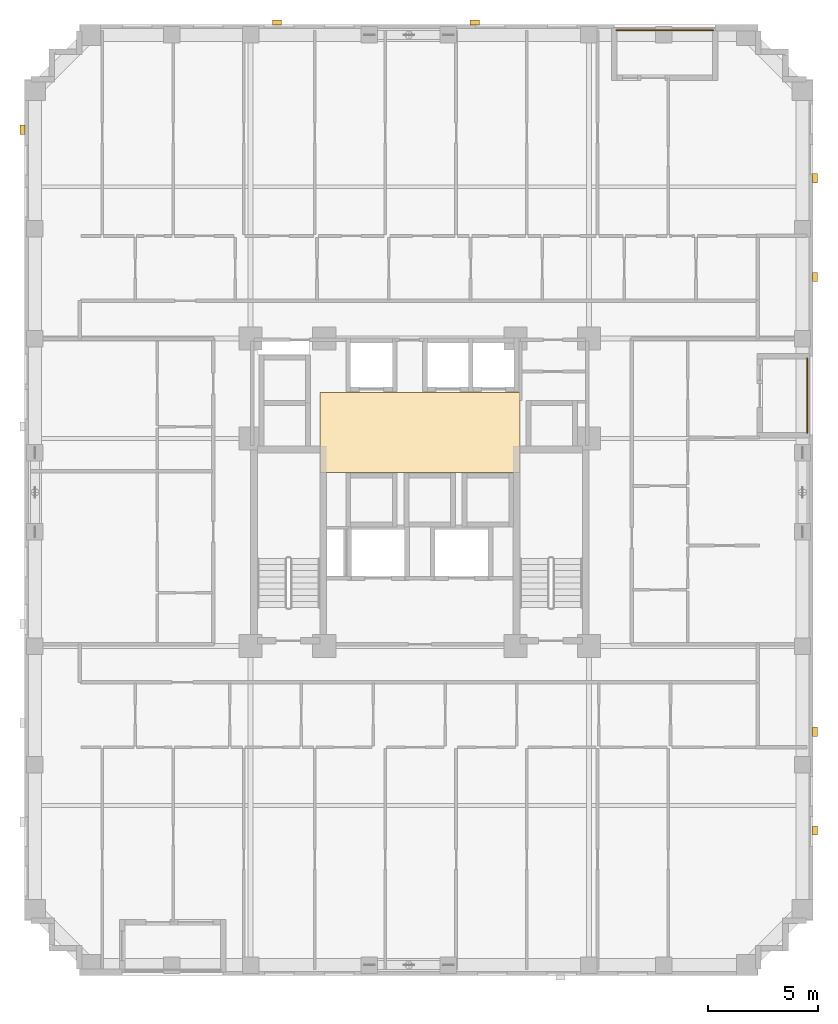
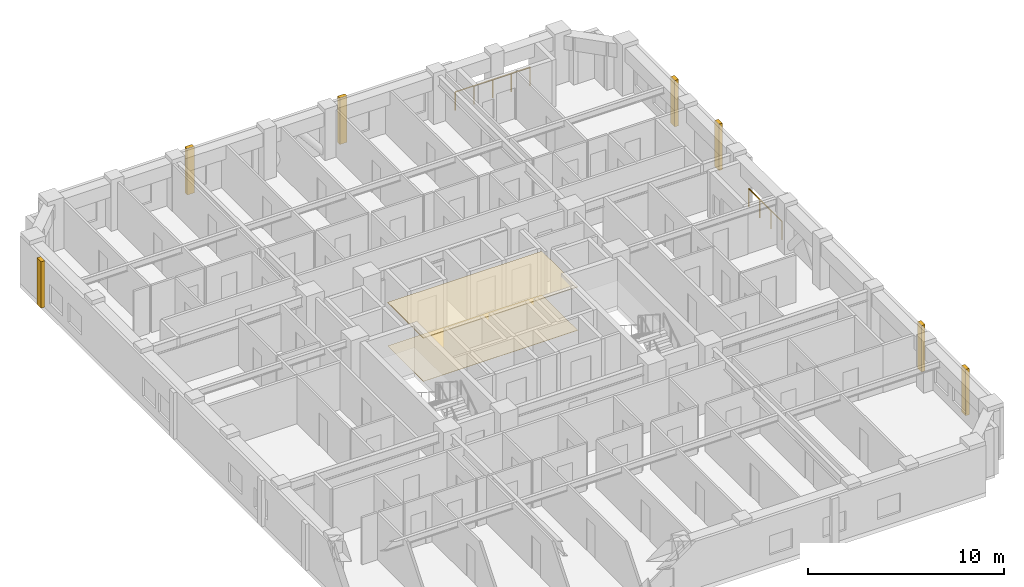
# One storey, part 13 of 13: 9 coverings, 2 railings.
"""IFC4 building model written with IfcOpenShell, lengths in metres."""

from ifc_helpers import new_model, si_unit, derived_unit, direction, frame, origin, origin_2d, place, context, subcontext, project, spatial, polyline, rectangle, circle, outline, extrude, material, layer, layer_set, type_object, element, save


model = new_model("IFC4")

# Units and contexts
model_context = context("Model", 3, precision=1e-05, world=origin(), true_north=direction((0.0, 1.0)))
body_context = subcontext(model_context, "Body", "Model", "MODEL_VIEW")
ifc_project = project(units=[si_unit("LENGTHUNIT", "METRE"), si_unit("AREAUNIT", "SQUARE_METRE"), si_unit("VOLUMEUNIT", "CUBIC_METRE"), si_unit("PLANEANGLEUNIT", "RADIAN"), si_unit("MASSUNIT", "GRAM", prefix="KILO"), derived_unit("THERMALTRANSMITTANCEUNIT", [(si_unit("MASSUNIT", "GRAM", prefix="KILO"), 1), (si_unit("TIMEUNIT", "SECOND"), -3), (si_unit("THERMODYNAMICTEMPERATUREUNIT", "KELVIN"), -1)])], contexts=[model_context])

# Site, building, storey
site_placement = place(None, origin())
site = spatial("IfcSite", under=ifc_project, at=site_placement, CompositionType="ELEMENT")
building_placement = place(site_placement, origin())
building = spatial("IfcBuilding", under=site, at=building_placement, Name="Korrvale Station Residences", CompositionType="ELEMENT")
storey_placement = place(building_placement, frame((0.0, 0.0, 100.699951171875)))
storey = spatial("IfcBuildingStorey", under=building, at=storey_placement, Name="L28", CompositionType="ELEMENT", Elevation=100.699951171875)

# Coverings
ifc_material_1 = material(Name="Perforated acoustic mineral-fibre suspended ceiling", Category="gypsum")
ifc_layer_1 = layer(ifc_material_1, 0.050048828125, Name="Perforated acoustic mineral-fibre suspended ceiling")
ifc_layer_set_1 = layer_set([ifc_layer_1], Name="Perforated acoustic mineral-fibre suspended ceiling")
covering_type_1 = type_object("IfcCoveringType", Name="COV-CLG-AC60", PredefinedType="CEILING", material=ifc_layer_set_1)
covering_1_placement = place(storey_placement, frame((0.0, 0.0, 2.68994140625)))
element("IfcCovering", 1, at=covering_1_placement, inside=storey, type_object=covering_type_1, Name="L28 Elevator Lobby Acoustic Ceiling", PredefinedType="CEILING", context=body_context, shape_type="SweptSolid", body=[
    extrude(outline(polyline([(20.949951171875, 22.89990234375), (30.050048828125, 22.89990234375), (30.050048828125, 26.550048828125), (20.949951171875, 26.550048828125), (20.949951171875, 22.89990234375)])), origin(), (0.0, 0.0, 1.0), 0.050048828125),
])
ifc_material_2 = material(Name="Polished quartz-terrazzo lobby flooring", Category="masonry")
ifc_layer_2 = layer(ifc_material_2, 0.02001953125, Name="Polished quartz-terrazzo lobby flooring")
ifc_layer_set_2 = layer_set([ifc_layer_2], Name="Polished quartz-terrazzo lobby flooring")
covering_type_2 = type_object("IfcCoveringType", Name="COV-FLR-TER20", PredefinedType="FLOORING", material=ifc_layer_set_2)
covering_2_placement = place(storey_placement, origin())
element("IfcCovering", 2, at=covering_2_placement, inside=storey, type_object=covering_type_2, Name="L28 Elevator Lobby Terrazzo Flooring", PredefinedType="FLOORING", context=body_context, shape_type="SweptSolid", body=[
    extrude(outline(polyline([(20.949951171875, 22.89990234375), (30.050048828125, 22.89990234375), (30.050048828125, 26.550048828125), (20.949951171875, 26.550048828125), (20.949951171875, 22.89990234375)])), origin(), (0.0, 0.0, 1.0), 0.02001953125),
])
ifc_material_3 = material(Name="Architectural precast concrete C45/55", Category="concrete")
ifc_layer_3 = layer(ifc_material_3, 0.219970703125, Name="Architectural precast concrete C45/55")
ifc_layer_set_3 = layer_set([ifc_layer_3], Name="Architectural precast concrete C45/55")
covering_type_3 = type_object("IfcCoveringType", Name="COV-PIER-400", PredefinedType="CLADDING", material=ifc_layer_set_3)
for number, where, z_axis, x_axis, name in (
    (3, (19.0, 43.389892578125, 0.02490234375), (0.0, 0.0, 1.0), (1.0, 0.0, 0.0), "L28 Architectural Precast Facade Pier 02"),
    (4, (28.0, 43.389892578125, 0.02490234375), (0.0, 0.0, 1.0), (1.0, 0.0, 0.0), "L28 Architectural Precast Facade Pier 03"),
    (5, (7.409912109375, 38.5, 0.02490234375), (0.0, 0.0, 1.0), (0.0, 1.0, 0.0), "L28 Architectural Precast Facade Pier 08"),
    (6, (43.489990234375, 36.300048828125, 0.02490234375), (0.0, 0.0, 1.0), (0.0, 1.0, 0.0), "L28 Architectural Precast Facade Pier 09"),
    (7, (43.489990234375, 31.800048828125, 0.02490234375), (0.0, 0.0, 1.0), (0.0, 1.0, 0.0), "L28 Architectural Precast Facade Pier 10"),
    (8, (43.489990234375, 11.10009765625, 0.02490234375), (0.0, 0.0, 1.0), (0.0, 1.0, 0.0), "L28 Architectural Precast Facade Pier 11"),
    (9, (43.489990234375, 6.60009765625, 0.02490234375), (0.0, 0.0, 1.0), (0.0, 1.0, 0.0), "L28 Architectural Precast Facade Pier 12"),
):
    element("IfcCovering", number, at=place(storey_placement, frame(where, z_axis=z_axis, x_axis=x_axis)), inside=storey, type_object=covering_type_3, Name=name, PredefinedType="CLADDING", context=body_context, shape_type="SweptSolid", body=[
        extrude(rectangle(XDim=0.419921875, YDim=0.219970703125, at=origin_2d()), origin(), (0.0, 0.0, 1.0), 2.889892578125),
    ])

# Railings
ifc_material_4 = material(Name="Powder-coated aluminium picket loggia guard", Category="aluminium")
railing_type = type_object("IfcRailingType", Name="RLG-BAL-1150", PredefinedType="GUARDRAIL", material=ifc_material_4)
railing_1_placement = place(storey_placement, frame((34.449951171875, 43.030029296875, 0.0)))
element("IfcRailing", 10, at=railing_1_placement, inside=storey, type_object=railing_type, Name="L28 Recessed Loggia Guardrail BAL-L28-N1", PredefinedType="GUARDRAIL", context=body_context, shape_type="SweptSolid", body=[
    extrude(circle(Radius=0.02392578125, at=origin_2d()), frame((0.0, 0.0, 1.1259765625), z_axis=(1.0, 0.0, 0.0), x_axis=(0.0, 1.0, 0.0)), (0.0, 0.0, 1.0), 4.400146484375),
    extrude(circle(Radius=0.02099609375, at=origin_2d()), origin(), (0.0, 0.0, 1.0), 1.101806640625),
    extrude(circle(Radius=0.02099609375, at=origin_2d()), frame((1.10009765625, 0.0, 0.0)), (0.0, 0.0, 1.0), 1.101806640625),
    extrude(circle(Radius=0.02099609375, at=origin_2d()), frame((2.2001953125, 0.0, 0.0)), (0.0, 0.0, 1.0), 1.101806640625),
    extrude(circle(Radius=0.02099609375, at=origin_2d()), frame((3.300048828125, 0.0, 0.0)), (0.0, 0.0, 1.0), 1.101806640625),
    extrude(circle(Radius=0.02099609375, at=origin_2d()), frame((4.400146484375, 0.0, 0.0)), (0.0, 0.0, 1.0), 1.101806640625),
])
railing_2_placement = place(storey_placement, frame((43.1298828125, 24.699951171875, 0.0)))
element("IfcRailing", 11, at=railing_2_placement, inside=storey, type_object=railing_type, Name="L28 Recessed Loggia Guardrail BAL-L28-E1", PredefinedType="GUARDRAIL", context=body_context, shape_type="SweptSolid", body=[
    extrude(circle(Radius=0.02392578125, at=origin_2d()), frame((0.0, 0.0, 1.1259765625), z_axis=(0.0, 1.0, 0.0), x_axis=(-1.0, 0.0, 0.0)), (0.0, 0.0, 1.0), 3.400146484375),
    extrude(circle(Radius=0.02099609375, at=origin_2d()), origin(), (0.0, 0.0, 1.0), 1.101806640625),
    extrude(circle(Radius=0.02099609375, at=origin_2d()), frame((0.0, 1.13330078125, 0.0)), (0.0, 0.0, 1.0), 1.101806640625),
    extrude(circle(Radius=0.02099609375, at=origin_2d()), frame((0.0, 2.266845703125, 0.0)), (0.0, 0.0, 1.0), 1.101806640625),
    extrude(circle(Radius=0.02099609375, at=origin_2d()), frame((0.0, 3.400146484375, 0.0)), (0.0, 0.0, 1.0), 1.101806640625),
])

save(model, "model.ifc")
